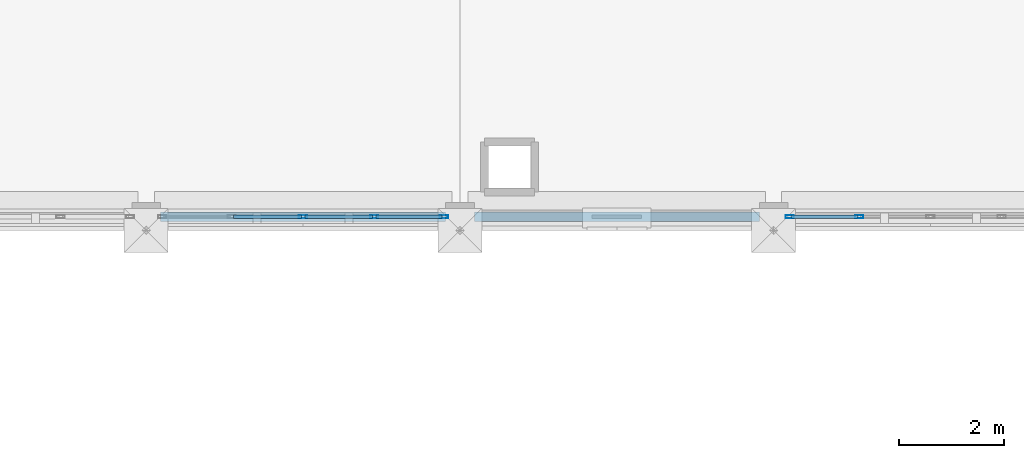
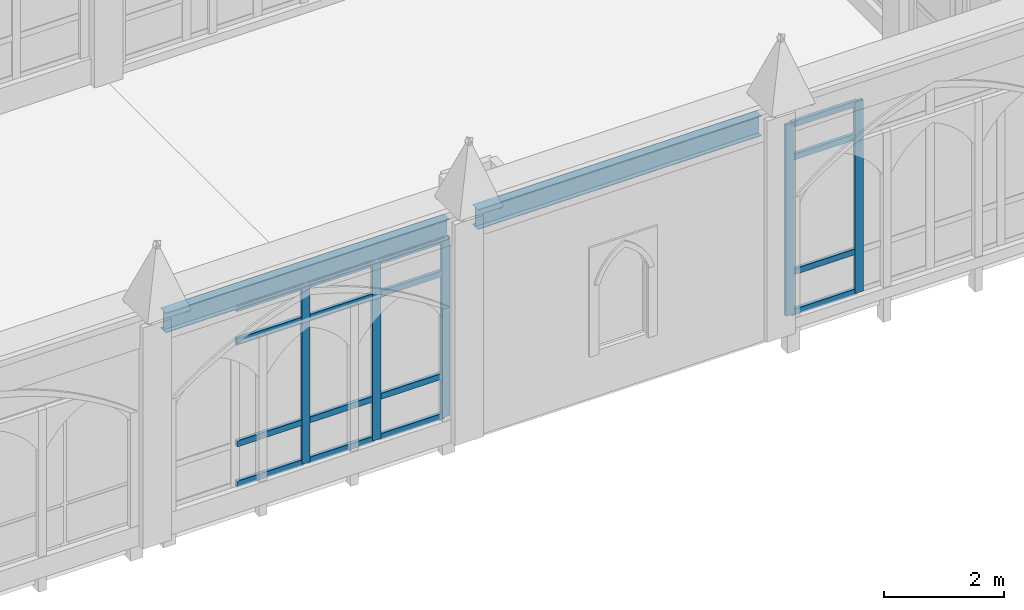
# One storey, part 53 of 108: 21 members, 2 beams, 2 elements without a shape of their own.
"""IFC4 building model written with IfcOpenShell, lengths in metres."""

from ifc_helpers import new_model, si_unit, direction, frame, origin, origin_2d, place, context, subcontext, project, spatial, hollow_rectangle, i_section, extrude, material, layer, layer_set, material_profile, profile_set, type_object, element, aggregate, save


model = new_model("IFC4")

# Units and contexts
model_context = context("Model", 3, precision=1e-05, world=origin(), true_north=direction((0.0, 1.0)))
body_context = subcontext(model_context, "Body", "Model", "MODEL_VIEW")
ifc_project = project(units=[si_unit("LENGTHUNIT", "METRE"), si_unit("AREAUNIT", "SQUARE_METRE"), si_unit("VOLUMEUNIT", "CUBIC_METRE"), si_unit("PLANEANGLEUNIT", "RADIAN"), si_unit("MASSUNIT", "GRAM", prefix="KILO")], contexts=[model_context])

# Site, building, storey
site_placement = place(None, origin())
site = spatial("IfcSite", under=ifc_project, at=site_placement, CompositionType="ELEMENT")
building_placement = place(site_placement, origin())
building = spatial("IfcBuilding", under=site, at=building_placement, Name="Cumevento Cable Car Station", CompositionType="ELEMENT")
storey_placement = place(building_placement, frame((0.0, 0.0, 13.5)))
storey = spatial("IfcBuildingStorey", under=building, at=storey_placement, Name="L04", CompositionType="ELEMENT", Elevation=13.5)

# Curtain wall, members
ifc_material_1 = material(Name="Anodised Bronze Aluminium AW-6063-T6", Category="aluminium")
ifc_layer_1 = layer(ifc_material_1, 0.196044921875)
ifc_layer_set_1 = layer_set([ifc_layer_1], Name="Anodised Bronze Aluminium AW-6063-T6")
curtain_wall_type_1 = type_object("IfcCurtainWallType", Name="Lancet Curtain Wall CW-07 1290", PredefinedType="NOTDEFINED", material=ifc_layer_set_1)
curtain_wall_1_placement = place(storey_placement, origin())
curtain_wall_1 = element("IfcCurtainWall", 1, at=curtain_wall_1_placement, inside=storey, type_object=curtain_wall_type_1, Name="Lancet Curtain Wall CW-07 L04 #182", PredefinedType="NOTDEFINED")
ifc_material_2 = material(Name="Anodised Bronze Aluminium AW-6063-T6", Category="aluminium")
ifc_material_profile_1 = material_profile(ifc_material_2, hollow_rectangle(XDim=0.06494140625, YDim=0.159912109375, WallThickness=0.00390625, at=origin_2d()), Name="ALUM65x160x4")
ifc_profile_set_1 = profile_set([ifc_material_profile_1], Name="Anodised Bronze Aluminium AW-6063-T6")
member_type_1 = type_object("IfcMemberType", Name="Curtain Mullion CWM-01 ALUM65x160x4", PredefinedType="MULLION", material=ifc_profile_set_1)
member_1_placement = place(storey_placement, frame((153.6923828125, 33.0, 0.4599609375), z_axis=(0.0, 0.0, 1.0), x_axis=(0.0, -1.0, 0.0)))
member_1 = element("IfcMember", 2, at=member_1_placement, type_object=member_type_1, Name="CW-07 mullion 1", PredefinedType="MULLION", context=body_context, shape_type="SweptSolid", body=[
    extrude(hollow_rectangle(XDim=0.06494140625, YDim=0.159912109375, WallThickness=0.00390625, at=origin_2d()), origin(), (0.0, 0.0, 1.0), 3.633056640625),
])
member_2_placement = place(storey_placement, frame((152.362548828125, 33.0, 0.4599609375), z_axis=(0.0, 0.0, 1.0), x_axis=(0.0, -1.0, 0.0)))
member_2 = element("IfcMember", 3, at=member_2_placement, type_object=member_type_1, Name="CW-07 mullion 2", PredefinedType="MULLION", context=body_context, shape_type="SweptSolid", body=[
    extrude(hollow_rectangle(XDim=0.06494140625, YDim=0.159912109375, WallThickness=0.00390625, at=origin_2d()), origin(), (0.0, 0.0, 1.0), 3.633056640625),
])
member_3_placement = place(storey_placement, frame((151.0, 33.0, 0.4599609375), z_axis=(0.0, 0.0, 1.0), x_axis=(0.0, -1.0, 0.0)))
member_3 = element("IfcMember", 4, at=member_3_placement, type_object=member_type_1, Name="CW-07 mullion 3", PredefinedType="MULLION", context=body_context, shape_type="SweptSolid", body=[
    extrude(hollow_rectangle(XDim=0.06494140625, YDim=0.159912109375, WallThickness=0.00390625, at=origin_2d()), origin(), (0.0, 0.0, 1.0), 3.633056640625),
])

ifc_material_3 = material(Name="Anodised Bronze Aluminium AW-6063-T6", Category="aluminium")
ifc_layer_2 = layer(ifc_material_3, 0.214111328125)
ifc_layer_set_2 = layer_set([ifc_layer_2], Name="Anodised Bronze Aluminium AW-6063-T6")
curtain_wall_type_2 = type_object("IfcCurtainWallType", Name="Lancet Curtain Wall CW-10 1410", PredefinedType="NOTDEFINED", material=ifc_layer_set_2)
curtain_wall_2_placement = place(storey_placement, origin())
curtain_wall_2 = element("IfcCurtainWall", 5, at=curtain_wall_2_placement, inside=storey, type_object=curtain_wall_type_2, Name="Lancet Curtain Wall CW-10 L04 #185", PredefinedType="NOTDEFINED")
member_4_placement = place(storey_placement, frame((161.637451171875, 33.0, 0.2099609375), z_axis=(0.0, 0.0, 1.0), x_axis=(0.0, -1.0, 0.0)))
member_4 = element("IfcMember", 6, at=member_4_placement, type_object=member_type_1, Name="CW-10 mullion 4", PredefinedType="MULLION", context=body_context, shape_type="SweptSolid", body=[
    extrude(hollow_rectangle(XDim=0.06494140625, YDim=0.159912109375, WallThickness=0.00390625, at=origin_2d()), origin(), (0.0, 0.0, 1.0), 3.883056640625),
])
member_5_placement = place(storey_placement, frame((160.3076171875, 33.0, 0.2099609375), z_axis=(0.0, 0.0, 1.0), x_axis=(0.0, -1.0, 0.0)))
member_5 = element("IfcMember", 7, at=member_5_placement, type_object=member_type_1, Name="CW-10 mullion 5", PredefinedType="MULLION", context=body_context, shape_type="SweptSolid", body=[
    extrude(hollow_rectangle(XDim=0.06494140625, YDim=0.159912109375, WallThickness=0.00390625, at=origin_2d()), origin(), (0.0, 0.0, 1.0), 3.883056640625),
])

# Member
ifc_material_4 = material(Name="Anodised Bronze Aluminium AW-6063-T6", Category="aluminium")
ifc_material_profile_2 = material_profile(ifc_material_4, hollow_rectangle(XDim=0.06494140625, YDim=0.1201171875, WallThickness=0.00390625, at=origin_2d()), Name="ALUT65x120x4")
ifc_profile_set_2 = profile_set([ifc_material_profile_2], Name="Anodised Bronze Aluminium AW-6063-T6")
member_type_2 = type_object("IfcMemberType", Name="Curtain Transom CWT-01 ALUT65x120x4", PredefinedType="USERDEFINED", material=ifc_profile_set_2)
member_6_placement = place(storey_placement, frame((153.659912109375, 33.0, 0.492431640625), z_axis=(-1.0, 0.0, 0.0), x_axis=(0.0, -1.0, 0.0)))
member_6 = element("IfcMember", 8, at=member_6_placement, type_object=member_type_2, Name="CW-07 transom 1.1", ObjectType="TRANSOM", PredefinedType="USERDEFINED", context=body_context, shape_type="SweptSolid", body=[
    extrude(hollow_rectangle(XDim=0.06494140625, YDim=0.1201171875, WallThickness=0.00390625, at=origin_2d()), origin(), (0.0, 0.0, 1.0), 1.264892578125),
])

member_7_placement = place(storey_placement, frame((153.659912109375, 33.0, 1.31005859375), z_axis=(-1.0, 0.0, 0.0), x_axis=(0.0, -1.0, 0.0)))
member_7 = element("IfcMember", 9, at=member_7_placement, type_object=member_type_2, Name="CW-07 transom 1.2", ObjectType="TRANSOM", PredefinedType="USERDEFINED", context=body_context, shape_type="SweptSolid", body=[
    extrude(hollow_rectangle(XDim=0.06494140625, YDim=0.1201171875, WallThickness=0.00390625, at=origin_2d()), origin(), (0.0, 0.0, 1.0), 1.264892578125),
])

member_8_placement = place(storey_placement, frame((153.659912109375, 33.0, 3.39306640625), z_axis=(-1.0, 0.0, 0.0), x_axis=(0.0, -1.0, 0.0)))
member_8 = element("IfcMember", 10, at=member_8_placement, type_object=member_type_2, Name="CW-07 transom 1.3", ObjectType="TRANSOM", PredefinedType="USERDEFINED", context=body_context, shape_type="SweptSolid", body=[
    extrude(hollow_rectangle(XDim=0.06494140625, YDim=0.1201171875, WallThickness=0.00390625, at=origin_2d()), origin(), (0.0, 0.0, 1.0), 1.264892578125),
])

member_9_placement = place(storey_placement, frame((153.659912109375, 33.0, 4.060546875), z_axis=(-1.0, 0.0, 0.0), x_axis=(0.0, -1.0, 0.0)))
member_9 = element("IfcMember", 11, at=member_9_placement, type_object=member_type_2, Name="CW-07 transom 1.4", ObjectType="TRANSOM", PredefinedType="USERDEFINED", context=body_context, shape_type="SweptSolid", body=[
    extrude(hollow_rectangle(XDim=0.06494140625, YDim=0.1201171875, WallThickness=0.00390625, at=origin_2d()), origin(), (0.0, 0.0, 1.0), 1.264892578125),
])

member_10_placement = place(storey_placement, frame((152.330078125, 33.0, 0.492431640625), z_axis=(-1.0, 0.0, 0.0), x_axis=(0.0, -1.0, 0.0)))
member_10 = element("IfcMember", 12, at=member_10_placement, type_object=member_type_2, Name="CW-07 transom 2.1", ObjectType="TRANSOM", PredefinedType="USERDEFINED", context=body_context, shape_type="SweptSolid", body=[
    extrude(hollow_rectangle(XDim=0.06494140625, YDim=0.1201171875, WallThickness=0.00390625, at=origin_2d()), origin(), (0.0, 0.0, 1.0), 1.297607421875),
])

member_11_placement = place(storey_placement, frame((152.330078125, 33.0, 1.31005859375), z_axis=(-1.0, 0.0, 0.0), x_axis=(0.0, -1.0, 0.0)))
member_11 = element("IfcMember", 13, at=member_11_placement, type_object=member_type_2, Name="CW-07 transom 2.2", ObjectType="TRANSOM", PredefinedType="USERDEFINED", context=body_context, shape_type="SweptSolid", body=[
    extrude(hollow_rectangle(XDim=0.06494140625, YDim=0.1201171875, WallThickness=0.00390625, at=origin_2d()), origin(), (0.0, 0.0, 1.0), 1.297607421875),
])

member_12_placement = place(storey_placement, frame((152.330078125, 33.0, 3.39306640625), z_axis=(-1.0, 0.0, 0.0), x_axis=(0.0, -1.0, 0.0)))
member_12 = element("IfcMember", 14, at=member_12_placement, type_object=member_type_2, Name="CW-07 transom 2.3", ObjectType="TRANSOM", PredefinedType="USERDEFINED", context=body_context, shape_type="SweptSolid", body=[
    extrude(hollow_rectangle(XDim=0.06494140625, YDim=0.1201171875, WallThickness=0.00390625, at=origin_2d()), origin(), (0.0, 0.0, 1.0), 1.297607421875),
])

member_13_placement = place(storey_placement, frame((152.330078125, 33.0, 4.060546875), z_axis=(-1.0, 0.0, 0.0), x_axis=(0.0, -1.0, 0.0)))
member_13 = element("IfcMember", 15, at=member_13_placement, type_object=member_type_2, Name="CW-07 transom 2.4", ObjectType="TRANSOM", PredefinedType="USERDEFINED", context=body_context, shape_type="SweptSolid", body=[
    extrude(hollow_rectangle(XDim=0.06494140625, YDim=0.1201171875, WallThickness=0.00390625, at=origin_2d()), origin(), (0.0, 0.0, 1.0), 1.297607421875),
])

member_14_placement = place(storey_placement, frame((150.967529296875, 33.0, 0.492431640625), z_axis=(-1.0, 0.0, 0.0), x_axis=(0.0, -1.0, 0.0)))
member_14 = element("IfcMember", 16, at=member_14_placement, type_object=member_type_2, Name="CW-07 transom 3.1", ObjectType="TRANSOM", PredefinedType="USERDEFINED", context=body_context, shape_type="SweptSolid", body=[
    extrude(hollow_rectangle(XDim=0.06494140625, YDim=0.1201171875, WallThickness=0.00390625, at=origin_2d()), origin(), (0.0, 0.0, 1.0), 1.297607421875),
])

member_15_placement = place(storey_placement, frame((150.967529296875, 33.0, 1.31005859375), z_axis=(-1.0, 0.0, 0.0), x_axis=(0.0, -1.0, 0.0)))
member_15 = element("IfcMember", 17, at=member_15_placement, type_object=member_type_2, Name="CW-07 transom 3.2", ObjectType="TRANSOM", PredefinedType="USERDEFINED", context=body_context, shape_type="SweptSolid", body=[
    extrude(hollow_rectangle(XDim=0.06494140625, YDim=0.1201171875, WallThickness=0.00390625, at=origin_2d()), origin(), (0.0, 0.0, 1.0), 1.297607421875),
])

member_16_placement = place(storey_placement, frame((150.967529296875, 33.0, 3.39306640625), z_axis=(-1.0, 0.0, 0.0), x_axis=(0.0, -1.0, 0.0)))
member_16 = element("IfcMember", 18, at=member_16_placement, type_object=member_type_2, Name="CW-07 transom 3.3", ObjectType="TRANSOM", PredefinedType="USERDEFINED", context=body_context, shape_type="SweptSolid", body=[
    extrude(hollow_rectangle(XDim=0.06494140625, YDim=0.1201171875, WallThickness=0.00390625, at=origin_2d()), origin(), (0.0, 0.0, 1.0), 1.297607421875),
])

member_17_placement = place(storey_placement, frame((150.967529296875, 33.0, 4.060546875), z_axis=(-1.0, 0.0, 0.0), x_axis=(0.0, -1.0, 0.0)))
member_17 = element("IfcMember", 19, at=member_17_placement, type_object=member_type_2, Name="CW-07 transom 3.4", ObjectType="TRANSOM", PredefinedType="USERDEFINED", context=body_context, shape_type="SweptSolid", body=[
    extrude(hollow_rectangle(XDim=0.06494140625, YDim=0.1201171875, WallThickness=0.00390625, at=origin_2d()), origin(), (0.0, 0.0, 1.0), 1.297607421875),
])

aggregate(curtain_wall_1, [member_1, member_2, member_3, member_6, member_7, member_8, member_9, member_10, member_11, member_12, member_13, member_14, member_15, member_16, member_17])

member_18_placement = place(storey_placement, frame((161.60498046875, 33.0, 0.242431640625), z_axis=(-1.0, 0.0, 0.0), x_axis=(0.0, -1.0, 0.0)))
member_18 = element("IfcMember", 20, at=member_18_placement, type_object=member_type_2, Name="CW-10 transom 4.1", ObjectType="TRANSOM", PredefinedType="USERDEFINED", context=body_context, shape_type="SweptSolid", body=[
    extrude(hollow_rectangle(XDim=0.06494140625, YDim=0.1201171875, WallThickness=0.00390625, at=origin_2d()), origin(), (0.0, 0.0, 1.0), 1.264892578125),
])

member_19_placement = place(storey_placement, frame((161.60498046875, 33.0, 1.06005859375), z_axis=(-1.0, 0.0, 0.0), x_axis=(0.0, -1.0, 0.0)))
member_19 = element("IfcMember", 21, at=member_19_placement, type_object=member_type_2, Name="CW-10 transom 4.2", ObjectType="TRANSOM", PredefinedType="USERDEFINED", context=body_context, shape_type="SweptSolid", body=[
    extrude(hollow_rectangle(XDim=0.06494140625, YDim=0.1201171875, WallThickness=0.00390625, at=origin_2d()), origin(), (0.0, 0.0, 1.0), 1.264892578125),
])

member_20_placement = place(storey_placement, frame((161.60498046875, 33.0, 3.39306640625), z_axis=(-1.0, 0.0, 0.0), x_axis=(0.0, -1.0, 0.0)))
member_20 = element("IfcMember", 22, at=member_20_placement, type_object=member_type_2, Name="CW-10 transom 4.3", ObjectType="TRANSOM", PredefinedType="USERDEFINED", context=body_context, shape_type="SweptSolid", body=[
    extrude(hollow_rectangle(XDim=0.06494140625, YDim=0.1201171875, WallThickness=0.00390625, at=origin_2d()), origin(), (0.0, 0.0, 1.0), 1.264892578125),
])

member_21_placement = place(storey_placement, frame((161.60498046875, 33.0, 4.060546875), z_axis=(-1.0, 0.0, 0.0), x_axis=(0.0, -1.0, 0.0)))
member_21 = element("IfcMember", 23, at=member_21_placement, type_object=member_type_2, Name="CW-10 transom 4.4", ObjectType="TRANSOM", PredefinedType="USERDEFINED", context=body_context, shape_type="SweptSolid", body=[
    extrude(hollow_rectangle(XDim=0.06494140625, YDim=0.1201171875, WallThickness=0.00390625, at=origin_2d()), origin(), (0.0, 0.0, 1.0), 1.264892578125),
])

aggregate(curtain_wall_2, [member_4, member_5, member_18, member_19, member_20, member_21])

# Beams
ifc_material_5 = material(Name="Steel ASTM A572 Grade 50", Category="steel")
ifc_material_profile_3 = material_profile(ifc_material_5, i_section(OverallWidth=0.177978515625, OverallDepth=0.406982421875, WebThickness=0.0078125, FlangeThickness=0.0126953125, at=origin_2d()), Name="W410x60.0")
ifc_profile_set_3 = profile_set([ifc_material_profile_3], Name="Steel ASTM A572 Grade 50")
beam_type = type_object("IfcBeamType", Name="Structural Spandrel SP-01 W410x60.0", PredefinedType="SPANDREL", material=ifc_profile_set_3)
for number, where, z_axis, x_axis, name in (
    (24, (148.27490234375, 33.0, 4.29638671875), (1.0, 0.0, 0.0), (0.0, 1.0, 0.0), "Beam SP-01 L04 #1472"),
    (25, (154.27490234375, 33.0, 4.29638671875), (1.0, 0.0, 0.0), (0.0, 1.0, 0.0), "Beam SP-01 L04 #1473"),
):
    element("IfcBeam", number, at=place(storey_placement, frame(where, z_axis=z_axis, x_axis=x_axis)), inside=storey, type_object=beam_type, Name=name, PredefinedType="SPANDREL", context=body_context, shape_type="SweptSolid", body=[
        extrude(i_section(OverallWidth=0.177978515625, OverallDepth=0.406982421875, WebThickness=0.0078125, FlangeThickness=0.0126953125, at=origin_2d()), origin(), (0.0, 0.0, 1.0), 5.4501953125),
    ])

save(model, "model.ifc")
